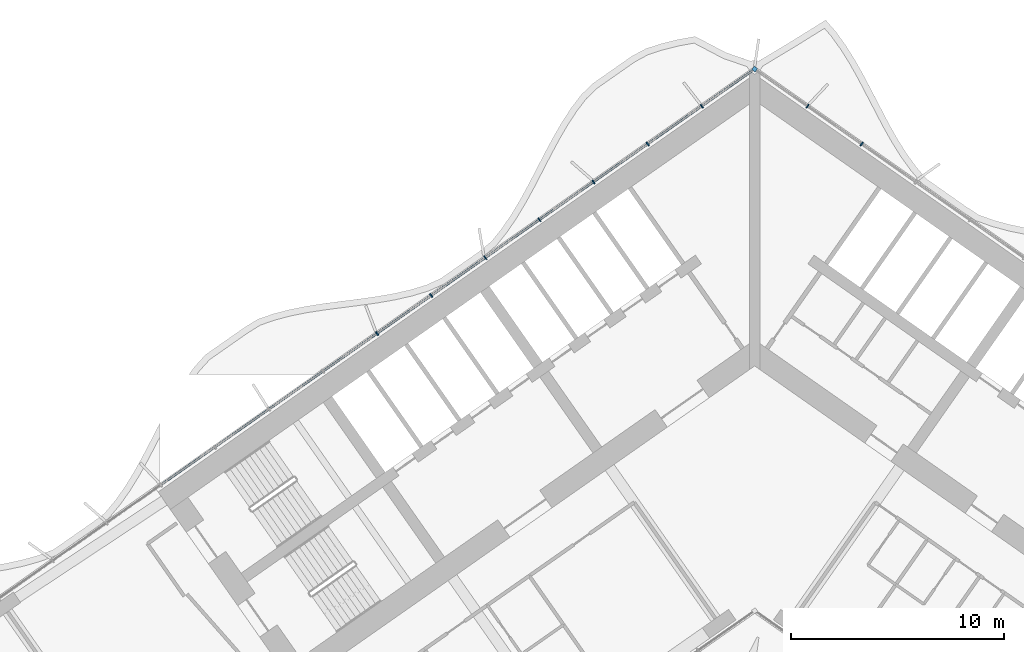
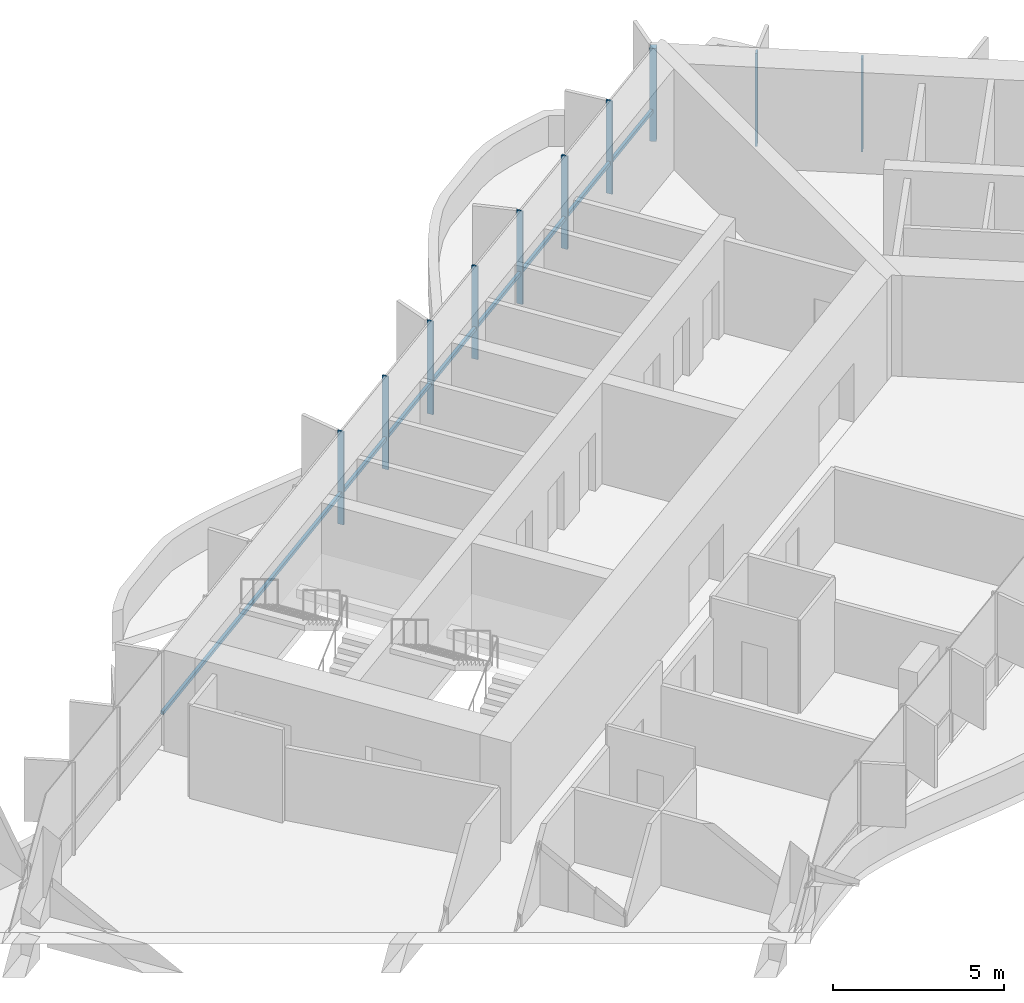
# One storey, part 7 of 23: 11 members, 1 element without a shape of its own.
"""IFC4 building model written with IfcOpenShell, lengths in metres."""

from ifc_helpers import new_model, si_unit, direction, frame, origin, origin_2d, place, context, subcontext, project, spatial, rectangle, extrude, material, material_profile, profile_set, type_object, element, aggregate, save


model = new_model("IFC4")

# Units and contexts
model_context = context("Model", 3, precision=1e-05, world=origin(), true_north=direction((0.0, 1.0)))
body_context = subcontext(model_context, "Body", "Model", "MODEL_VIEW")
ifc_project = project(units=[si_unit("LENGTHUNIT", "METRE"), si_unit("AREAUNIT", "SQUARE_METRE"), si_unit("VOLUMEUNIT", "CUBIC_METRE"), si_unit("PLANEANGLEUNIT", "RADIAN"), si_unit("MASSUNIT", "GRAM", prefix="KILO")], contexts=[model_context])

# Site, building, storey
site_placement = place(None, origin())
site = spatial("IfcSite", under=ifc_project, at=site_placement, CompositionType="ELEMENT")
building_placement = place(site_placement, origin())
building = spatial("IfcBuilding", under=site, at=building_placement, Name="Tel Ilan Convention Tower", CompositionType="ELEMENT")
storey_placement = place(building_placement, frame((0.0, 0.0, 115.699951171875)))
storey = spatial("IfcBuildingStorey", under=building, at=storey_placement, Name="L25", CompositionType="ELEMENT", Elevation=115.699951171875)

# Curtain wall, members
ifc_material_1 = material(Name="Aluminium, bronze anodised", Category="aluminium")
curtain_wall_type = type_object("IfcCurtainWallType", Name="CW2 STICK CURTAIN WALL, SPANDREL PANELS", PredefinedType="NOTDEFINED", material=ifc_material_1)
curtain_wall_placement = place(storey_placement, origin())
curtain_wall = element("IfcCurtainWall", 1, at=curtain_wall_placement, inside=storey, type_object=curtain_wall_type, Name="Curtain wall CW2-20.01", PredefinedType="NOTDEFINED")
ifc_material_2 = material(Name="Aluminium, bronze anodised", Category="aluminium")
ifc_material_profile_1 = material_profile(ifc_material_2, rectangle(XDim=0.199951171875, YDim=0.199951171875, at=origin_2d()), Name="CW CORNER MULLION 200x200")
ifc_profile_set_1 = profile_set([ifc_material_profile_1], Name="Aluminium, bronze anodised")
member_type_1 = type_object("IfcMemberType", Name="CW CORNER MULLION 200x200", PredefinedType="MULLION", material=ifc_profile_set_1)
member_1_placement = place(storey_placement, frame((0.0, 12.696044921875, 0.0), z_axis=(0.0, 0.0, 1.0), x_axis=(-0.819152044289, 0.573576436351, 0.0)))
member_1 = element("IfcMember", 2, at=member_1_placement, type_object=member_type_1, Name="Corner mullion", PredefinedType="MULLION", context=body_context, shape_type="SweptSolid", body=[
    extrude(rectangle(XDim=0.199951171875, YDim=0.199951171875, at=origin_2d()), origin(), (0.0, 0.0, 1.0), 3.320068359375),
])
ifc_material_3 = material(Name="Aluminium, bronze anodised", Category="aluminium")
ifc_material_profile_2 = material_profile(ifc_material_3, rectangle(XDim=0.06005859375, YDim=0.199951171875, at=origin_2d()), Name="CW MULLION 60x200")
ifc_profile_set_2 = profile_set([ifc_material_profile_2], Name="Aluminium, bronze anodised")
member_type_2 = type_object("IfcMemberType", Name="CW MULLION 60x200", PredefinedType="MULLION", material=ifc_profile_set_2)
member_2_placement = place(storey_placement, frame((5.0166015625, 9.18359375, 0.0), z_axis=(0.0, 0.0, 1.0), x_axis=(-0.819152044289, 0.573576436351, 0.0)))
member_2 = element("IfcMember", 3, at=member_2_placement, type_object=member_type_2, Name="Mullion", PredefinedType="MULLION", context=body_context, shape_type="SweptSolid", body=[
    extrude(rectangle(XDim=0.06005859375, YDim=0.199951171875, at=origin_2d()), origin(), (0.0, 0.0, 1.0), 3.320068359375),
])
member_3_placement = place(storey_placement, frame((2.4794921875, 10.9599609375, 0.0), z_axis=(0.0, 0.0, 1.0), x_axis=(-0.819152044289, 0.573576436351, 0.0)))
member_3 = element("IfcMember", 4, at=member_3_placement, type_object=member_type_2, Name="Mullion", PredefinedType="MULLION", context=body_context, shape_type="SweptSolid", body=[
    extrude(rectangle(XDim=0.06005859375, YDim=0.199951171875, at=origin_2d()), origin(), (0.0, 0.0, 1.0), 3.320068359375),
])
member_4_placement = place(storey_placement, frame((-2.4794921875, 10.9599609375, 0.0), z_axis=(0.0, 0.0, 1.0), x_axis=(-0.819152044289, -0.573576436351, 0.0)))
member_4 = element("IfcMember", 5, at=member_4_placement, type_object=member_type_2, Name="Mullion", PredefinedType="MULLION", context=body_context, shape_type="SweptSolid", body=[
    extrude(rectangle(XDim=0.06005859375, YDim=0.199951171875, at=origin_2d()), origin(), (0.0, 0.0, 1.0), 3.320068359375),
])
member_5_placement = place(storey_placement, frame((-5.0166015625, 9.18359375, 0.0), z_axis=(0.0, 0.0, 1.0), x_axis=(-0.819152044289, -0.573576436351, 0.0)))
member_5 = element("IfcMember", 6, at=member_5_placement, type_object=member_type_2, Name="Mullion", PredefinedType="MULLION", context=body_context, shape_type="SweptSolid", body=[
    extrude(rectangle(XDim=0.06005859375, YDim=0.199951171875, at=origin_2d()), origin(), (0.0, 0.0, 1.0), 3.320068359375),
])
member_6_placement = place(storey_placement, frame((-7.553466796875, 7.406982421875, 0.0), z_axis=(0.0, 0.0, 1.0), x_axis=(-0.819152044289, -0.573576436351, 0.0)))
member_6 = element("IfcMember", 7, at=member_6_placement, type_object=member_type_2, Name="Mullion", PredefinedType="MULLION", context=body_context, shape_type="SweptSolid", body=[
    extrude(rectangle(XDim=0.06005859375, YDim=0.199951171875, at=origin_2d()), origin(), (0.0, 0.0, 1.0), 3.320068359375),
])
member_7_placement = place(storey_placement, frame((-10.09033203125, 5.630615234375, 0.0), z_axis=(0.0, 0.0, 1.0), x_axis=(-0.819152044289, -0.573576436351, 0.0)))
member_7 = element("IfcMember", 8, at=member_7_placement, type_object=member_type_2, Name="Mullion", PredefinedType="MULLION", context=body_context, shape_type="SweptSolid", body=[
    extrude(rectangle(XDim=0.06005859375, YDim=0.199951171875, at=origin_2d()), origin(), (0.0, 0.0, 1.0), 3.320068359375),
])
member_8_placement = place(storey_placement, frame((-12.627197265625, 3.854248046875, 0.0), z_axis=(0.0, 0.0, 1.0), x_axis=(-0.819152044289, -0.573576436351, 0.0)))
member_8 = element("IfcMember", 9, at=member_8_placement, type_object=member_type_2, Name="Mullion", PredefinedType="MULLION", context=body_context, shape_type="SweptSolid", body=[
    extrude(rectangle(XDim=0.06005859375, YDim=0.199951171875, at=origin_2d()), origin(), (0.0, 0.0, 1.0), 3.320068359375),
])
member_9_placement = place(storey_placement, frame((-15.1640625, 2.077880859375, 0.0), z_axis=(0.0, 0.0, 1.0), x_axis=(-0.819152044289, -0.573576436351, 0.0)))
member_9 = element("IfcMember", 10, at=member_9_placement, type_object=member_type_2, Name="Mullion", PredefinedType="MULLION", context=body_context, shape_type="SweptSolid", body=[
    extrude(rectangle(XDim=0.06005859375, YDim=0.199951171875, at=origin_2d()), origin(), (0.0, 0.0, 1.0), 3.320068359375),
])
member_10_placement = place(storey_placement, frame((-17.701171875, 0.301513671875, 0.0), z_axis=(0.0, 0.0, 1.0), x_axis=(-0.819152044289, -0.573576436351, 0.0)))
member_10 = element("IfcMember", 11, at=member_10_placement, type_object=member_type_2, Name="Mullion", PredefinedType="MULLION", context=body_context, shape_type="SweptSolid", body=[
    extrude(rectangle(XDim=0.06005859375, YDim=0.199951171875, at=origin_2d()), origin(), (0.0, 0.0, 1.0), 3.320068359375),
])
ifc_material_4 = material(Name="Aluminium, bronze anodised", Category="aluminium")
ifc_material_profile_3 = material_profile(ifc_material_4, rectangle(XDim=0.10009765625, YDim=0.1201171875, at=origin_2d()), Name="CW TRANSOM 100x120")
ifc_profile_set_3 = profile_set([ifc_material_profile_3], Name="Aluminium, bronze anodised")
member_type_3 = type_object("IfcMemberType", Name="CW TRANSOM 100x120", PredefinedType="USERDEFINED", material=ifc_profile_set_3)
member_11_placement = place(storey_placement, frame((-0.1064453125, 12.62158203125, 1.10009765625), z_axis=(-0.819151916241, -0.573576619222, 0.0), x_axis=(0.573576619222, -0.819151916241, 0.0)))
member_11 = element("IfcMember", 12, at=member_11_placement, type_object=member_type_3, Name="Transom", ObjectType="TRANSOM", PredefinedType="USERDEFINED", context=body_context, shape_type="SweptSolid", body=[
    extrude(rectangle(XDim=0.10009765625, YDim=0.1201171875, at=origin_2d()), origin(), (0.0, 0.0, 1.0), 33.837158203125),
])
aggregate(curtain_wall, [member_2, member_3, member_1, member_4, member_5, member_6, member_7, member_8, member_9, member_10, member_11])

save(model, "model.ifc")
